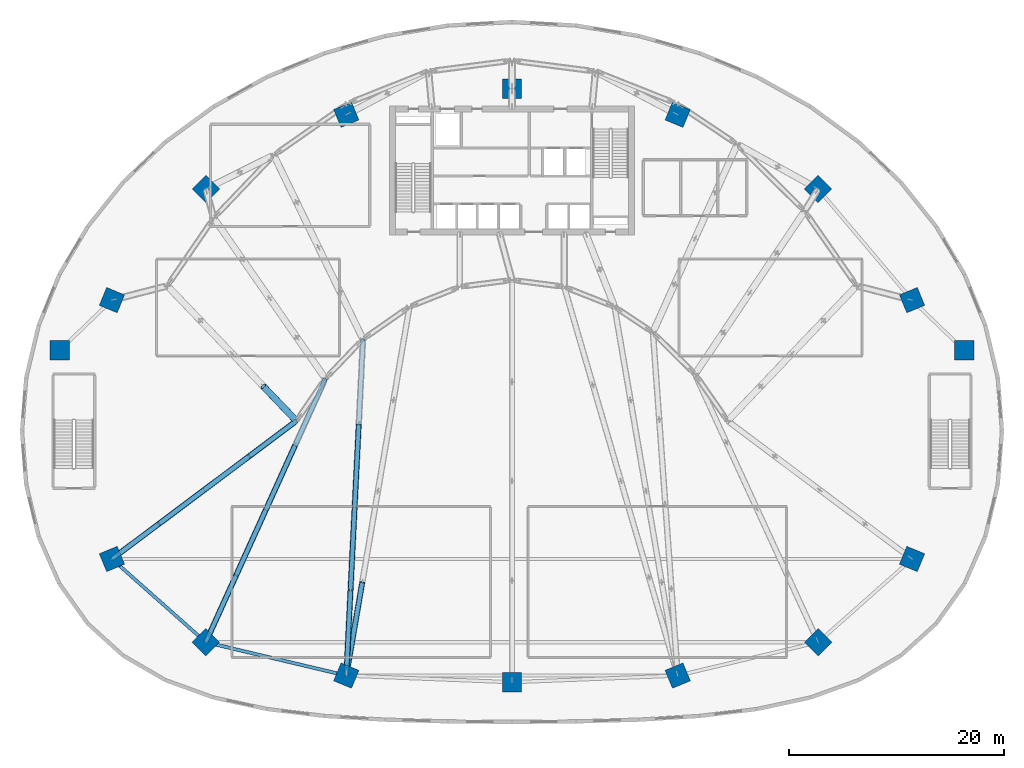
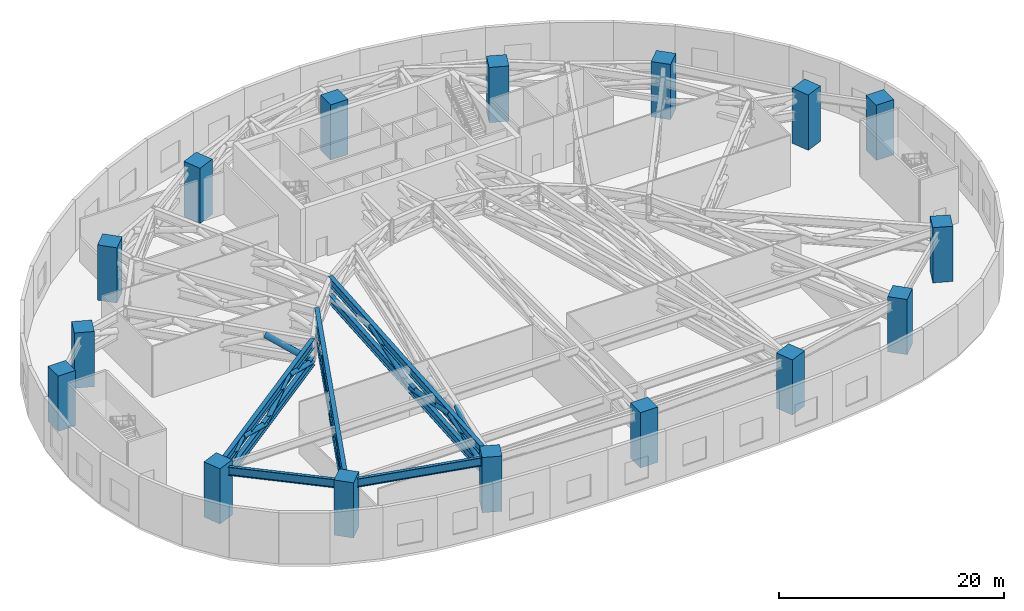
# One storey, part 1 of 19: 16 columns, 12 members, 8 beams.
"""IFC4 building model written with IfcOpenShell, lengths in metres."""

from ifc_helpers import new_model, si_unit, direction, frame, origin, origin_2d, place, context, subcontext, project, spatial, rectangle, hollow_circle, i_section, extrude, source, transform, mapped, material, material_profile, profile_set, type_object, type_shapes, element, save


model = new_model("IFC4")

# Units and contexts
model_context = context("Model", 3, precision=1e-05, world=origin(), true_north=direction((0.0, 1.0)))
body_context = subcontext(model_context, "Body", "Model", "MODEL_VIEW")
ifc_project = project(units=[si_unit("LENGTHUNIT", "METRE"), si_unit("AREAUNIT", "SQUARE_METRE"), si_unit("VOLUMEUNIT", "CUBIC_METRE"), si_unit("PLANEANGLEUNIT", "RADIAN"), si_unit("MASSUNIT", "GRAM", prefix="KILO")], contexts=[model_context])

# Site, building, storey
site_placement = place(None, origin())
site = spatial("IfcSite", under=ifc_project, at=site_placement, CompositionType="ELEMENT")
building_placement = place(site_placement, origin())
building = spatial("IfcBuilding", under=site, at=building_placement, Name="Breltana Convention Tower", CompositionType="ELEMENT")
storey_placement = place(building_placement, frame((0.0, 0.0, 24.0)))
storey = spatial("IfcBuildingStorey", under=building, at=storey_placement, Name="L04", CompositionType="ELEMENT", Elevation=24.0)

# Columns
ifc_material_1 = material(Name="Concrete C60/75", Category="concrete")
ifc_material_profile_1 = material_profile(ifc_material_1, rectangle(XDim=1.800048828125, YDim=1.800048828125, at=origin_2d()), Name="RC-COL-1800X1800")
ifc_profile_set_1 = profile_set([ifc_material_profile_1], Name="Concrete C60/75")
column_type = type_object("IfcColumnType", Name="COL-MC-1800", PredefinedType="COLUMN", material=ifc_profile_set_1)
shared_shape_1 = source(origin(), body_context, "Body", "SweptSolid", [
    extrude(rectangle(XDim=1.800048828125, YDim=1.800048828125, at=origin_2d()), origin(), (0.0, 0.0, 1.0), 6.0),
])
type_shapes(column_type, [shared_shape_1])
for number, where, z_axis, x_axis, name in (
    (1, (90.0, 49.5, 0.0), (0.0, 0.0, 1.0), (1.0, 0.0, 0.0), "L04 Podium Mega-Column MC-01"),
    (2, (85.139892578125, 54.169189453125, 0.0), (0.0, 0.0, 1.0), (0.923879532511, 0.382683432365, 0.0), "L04 Podium Mega-Column MC-02"),
    (3, (76.42578125, 64.486083984375, 0.0), (0.0, 0.0, 1.0), (0.707106781187, 0.707106781187, 0.0), "L04 Podium Mega-Column MC-03"),
    (4, (63.3837890625, 71.37939453125, 0.0), (0.0, 0.0, 1.0), (0.382683432365, 0.923879532511, 0.0), "L04 Podium Mega-Column MC-04"),
    (5, (48.0, 73.800048828125, 0.0), (0.0, 0.0, 1.0), (0.0, 1.0, 0.0), "L04 Podium Mega-Column MC-05"),
    (6, (32.6162109375, 71.37939453125, 0.0), (0.0, 0.0, 1.0), (-0.382683432365, 0.923879532511, 0.0), "L04 Podium Mega-Column MC-06"),
    (7, (19.57421875, 64.486083984375, 0.0), (0.0, 0.0, 1.0), (-0.707106781187, 0.707106781187, 0.0), "L04 Podium Mega-Column MC-07"),
    (8, (10.860107421875, 54.169189453125, 0.0), (0.0, 0.0, 1.0), (-0.923879532511, 0.382683432365, 0.0), "L04 Podium Mega-Column MC-08"),
    (9, (6.0, 49.5, 0.0), (0.0, 0.0, 1.0), (-1.0, 0.0, 0.0), "L04 Podium Mega-Column MC-09"),
    (10, (10.860107421875, 30.136962890625, 0.0), (0.0, 0.0, 1.0), (-0.923879532511, -0.382683432365, 0.0), "L04 Podium Mega-Column MC-10"),
    (11, (19.57421875, 22.412109375, 0.0), (0.0, 0.0, 1.0), (-0.707106781187, -0.707106781187, 0.0), "L04 Podium Mega-Column MC-11"),
    (12, (32.6162109375, 19.3125, 0.0), (0.0, 0.0, 1.0), (-0.382683432365, -0.923879532511, 0.0), "L04 Podium Mega-Column MC-12"),
    (13, (48.0, 18.699951171875, 0.0), (0.0, 0.0, 1.0), (0.0, -1.0, 0.0), "L04 Podium Mega-Column MC-13"),
    (14, (63.3837890625, 19.3125, 0.0), (0.0, 0.0, 1.0), (0.382683432365, -0.923879532511, 0.0), "L04 Podium Mega-Column MC-14"),
    (15, (76.42578125, 22.412109375, 0.0), (0.0, 0.0, 1.0), (0.707106781187, -0.707106781187, 0.0), "L04 Podium Mega-Column MC-15"),
    (16, (85.139892578125, 30.136962890625, 0.0), (0.0, 0.0, 1.0), (0.923879532511, -0.382683432365, 0.0), "L04 Podium Mega-Column MC-16"),
):
    element("IfcColumn", number, at=place(storey_placement, frame(where, z_axis=z_axis, x_axis=x_axis)), inside=storey, type_object=column_type, Name=name, PredefinedType="COLUMN", context=body_context, shape_type="MappedRepresentation", body=[
        mapped(shared_shape_1, transform((0.0, 0.0, 0.0), scale=1.0)),
    ])

# Beams
ifc_material_2 = material(Name="Steel ASTM A992 Grade 50", Category="steel")
ifc_material_profile_2 = material_profile(ifc_material_2, i_section(OverallWidth=0.423095703125, OverallDepth=0.947998046875, WebThickness=0.02392578125, FlangeThickness=0.042724609375, at=origin_2d()), Name="W36X302")
ifc_profile_set_2 = profile_set([ifc_material_profile_2], Name="Steel ASTM A992 Grade 50")
beam_type_1 = type_object("IfcBeamType", Name="BM-TR-W36X302", PredefinedType="USERDEFINED", material=ifc_profile_set_2)
shared_shape_2 = source(origin(), body_context, "Body", "SweptSolid", [
    extrude(i_section(OverallWidth=0.423095703125, OverallDepth=0.947998046875, WebThickness=0.02392578125, FlangeThickness=0.042724609375, at=origin_2d()), origin(), (0.0, 0.0, 1.0), 21.39013671875),
])
type_shapes(beam_type_1, [shared_shape_2])
beam_1_placement = place(storey_placement, frame((10.860107421875, 30.136962890625, 5.075927734375), z_axis=(0.800577617042, 0.599229070633, 0.0), x_axis=(-0.599229070633, 0.800577617042, 0.0)))
element("IfcBeam", 17, at=beam_1_placement, inside=storey, type_object=beam_type_1, Name="L04 Transfer Top Chord R01-1", ObjectType="GIRDER", PredefinedType="USERDEFINED", context=body_context, shape_type="MappedRepresentation", body=[
    mapped(shared_shape_2, transform((0.0, 0.0, 0.0), scale=1.0)),
])
ifc_material_profile_3 = material_profile(ifc_material_2, i_section(OverallWidth=0.41796875, OverallDepth=0.927001953125, WebThickness=0.019287109375, FlangeThickness=0.031982421875, at=origin_2d()), Name="W36X231")
ifc_profile_set_3 = profile_set([ifc_material_profile_3], Name="Steel ASTM A992 Grade 50")
beam_type_2 = type_object("IfcBeamType", Name="BM-TR-W36X231", PredefinedType="USERDEFINED", material=ifc_profile_set_3)
shared_shape_3 = source(origin(), body_context, "Body", "SweptSolid", [
    extrude(i_section(OverallWidth=0.41796875, OverallDepth=0.927001953125, WebThickness=0.019287109375, FlangeThickness=0.031982421875, at=origin_2d()), origin(), (0.0, 0.0, 1.0), 21.39013671875),
])
type_shapes(beam_type_2, [shared_shape_3])
beam_2_placement = place(storey_placement, frame((10.860107421875, 30.136962890625, 3.1435546875), z_axis=(0.800577617042, 0.599229070633, 0.0), x_axis=(-0.599229070633, 0.800577617042, 0.0)))
element("IfcBeam", 18, at=beam_2_placement, inside=storey, type_object=beam_type_2, Name="L04 Transfer Bottom Chord R01-1", ObjectType="GIRDER", PredefinedType="USERDEFINED", context=body_context, shape_type="MappedRepresentation", body=[
    mapped(shared_shape_3, transform((0.0, 0.0, 0.0), scale=1.0)),
])

# Members
ifc_material_3 = material(Name="Steel EN 10210 S355J2H", Category="steel")
ifc_material_profile_4 = material_profile(ifc_material_3, hollow_circle(Radius=0.25390625, WallThickness=0.02001953125, at=origin_2d()), Name="CHS508X20")
ifc_profile_set_4 = profile_set([ifc_material_profile_4], Name="Steel EN 10210 S355J2H")
member_type_1 = type_object("IfcMemberType", Name="MB-BR-CHS508X20", PredefinedType="BRACE", material=ifc_profile_set_4)
shared_shape_4 = source(origin(), body_context, "Body", "SweptSolid", [
    extrude(hollow_circle(Radius=0.25390625, WallThickness=0.02001953125, at=origin_2d()), origin(), (0.0, 0.0, 1.0), 5.582763671875),
])
type_shapes(member_type_1, [shared_shape_4])
for number, where, z_axis, x_axis, name in (
    (19, (11.0361328125, 30.268798828125, 3.1435546875), (0.751097294585, 0.562175005641, 0.346138869673), (-0.599216605653, 0.800586946877, 0.0), "L04 Transfer Truss Diagonal R01-1.1"),
    (20, (15.229248046875, 33.4072265625, 5.075927734375), (0.751078828788, 0.562204915453, -0.346130359817), (-0.599246480836, 0.80056458528, 0.0), "L04 Transfer Truss Diagonal R01-1.2"),
    (21, (23.615234375, 39.684326171875, 5.075927734375), (0.751078828788, 0.562204915453, -0.346130359817), (-0.599246480836, 0.80056458528, 0.0), "L04 Transfer Truss Diagonal R01-1.4"),
):
    element("IfcMember", number, at=place(storey_placement, frame(where, z_axis=z_axis, x_axis=x_axis)), inside=storey, type_object=member_type_1, Name=name, PredefinedType="BRACE", context=body_context, shape_type="MappedRepresentation", body=[
        mapped(shared_shape_4, transform((0.0, 0.0, 0.0), scale=1.0)),
    ])
shared_shape_5 = source(origin(), body_context, "Body", "SweptSolid", [
    extrude(hollow_circle(Radius=0.25390625, WallThickness=0.02001953125, at=origin_2d()), origin(), (0.0, 0.0, 1.0), 5.58251953125),
])
member_1_placement = place(storey_placement, frame((19.42236328125, 36.5458984375, 3.1435546875), z_axis=(0.751078232924, 0.562193471774, 0.346150239525), x_axis=(-0.599238967918, 0.800570208869, 0.0)))
element("IfcMember", 22, at=member_1_placement, inside=storey, type_object=member_type_1, Name="L04 Transfer Truss Diagonal R01-1.3", PredefinedType="BRACE", context=body_context, shape_type="MappedRepresentation", body=[
    mapped(shared_shape_5, transform((0.0, 0.0, 0.0), scale=1.0)),
])
ifc_material_profile_5 = material_profile(ifc_material_3, hollow_circle(Radius=0.304931640625, WallThickness=0.02490234375, at=origin_2d()), Name="CHS610X25")
ifc_profile_set_5 = profile_set([ifc_material_profile_5], Name="Steel EN 10210 S355J2H")
member_type_2 = type_object("IfcMemberType", Name="MB-BR-CHS610X25", PredefinedType="BRACE", material=ifc_profile_set_5)
shared_shape_6 = source(origin(), body_context, "Body", "SweptSolid", [
    extrude(hollow_circle(Radius=0.304931640625, WallThickness=0.02490234375, at=origin_2d()), origin(), (0.0, 0.0, 1.0), 4.646240234375),
])
type_shapes(member_type_2, [shared_shape_6])
member_2_placement = place(storey_placement, frame((27.83251953125, 43.11376953125, 3.1435546875), z_axis=(-0.628140326004, 0.657618887397, 0.415905193268), x_axis=(-0.723128566496, -0.690713454566, 0.0)))
element("IfcMember", 23, at=member_2_placement, inside=storey, type_object=member_type_2, Name="L04 Transfer Truss Diagonal R01-2.1", PredefinedType="BRACE", context=body_context, shape_type="MappedRepresentation", body=[
    mapped(shared_shape_6, transform((0.0, 0.0, 0.0), scale=1.0)),
])

# Beams
shared_shape_7 = source(origin(), body_context, "Body", "SweptSolid", [
    extrude(i_section(OverallWidth=0.423095703125, OverallDepth=0.947998046875, WebThickness=0.02392578125, FlangeThickness=0.042724609375, at=origin_2d()), origin(), (0.0, 0.0, 1.0), 26.88037109375),
])
beam_3_placement = place(storey_placement, frame((19.57421875, 22.412109375, 5.075927734375), z_axis=(0.413052132052, 0.910707382317, 0.0), x_axis=(-0.910707382317, 0.413052132052, 0.0)))
element("IfcBeam", 24, at=beam_3_placement, inside=storey, type_object=beam_type_1, Name="L04 Transfer Top Chord R02-1", ObjectType="GIRDER", PredefinedType="USERDEFINED", context=body_context, shape_type="MappedRepresentation", body=[
    mapped(shared_shape_7, transform((0.0, 0.0, 0.0), scale=1.0)),
])
shared_shape_8 = source(origin(), body_context, "Body", "SweptSolid", [
    extrude(i_section(OverallWidth=0.41796875, OverallDepth=0.927001953125, WebThickness=0.019287109375, FlangeThickness=0.031982421875, at=origin_2d()), origin(), (0.0, 0.0, 1.0), 26.88037109375),
])
beam_4_placement = place(storey_placement, frame((19.57421875, 22.412109375, 3.1435546875), z_axis=(0.413052132052, 0.910707382317, 0.0), x_axis=(-0.910707382317, 0.413052132052, 0.0)))
element("IfcBeam", 25, at=beam_4_placement, inside=storey, type_object=beam_type_2, Name="L04 Transfer Bottom Chord R02-1", ObjectType="GIRDER", PredefinedType="USERDEFINED", context=body_context, shape_type="MappedRepresentation", body=[
    mapped(shared_shape_8, transform((0.0, 0.0, 0.0), scale=1.0)),
])

# Members
shared_shape_9 = source(origin(), body_context, "Body", "SweptSolid", [
    extrude(hollow_circle(Radius=0.25390625, WallThickness=0.02001953125, at=origin_2d()), origin(), (0.0, 0.0, 1.0), 6.88671875),
])
for number, where, z_axis, x_axis, name in (
    (26, (19.665283203125, 22.612548828125, 3.1435546875), (0.396452026694, 0.874123010122, 0.280597137734), (-0.910710216332, 0.413045883491, 0.0), "L04 Transfer Truss Diagonal R02-1.1"),
    (27, (25.125732421875, 34.65234375, 3.1435546875), (0.396452026694, 0.874123010122, 0.280597137734), (-0.910710216332, 0.413045883491, 0.0), "L04 Transfer Truss Diagonal R02-1.3"),
):
    element("IfcMember", number, at=place(storey_placement, frame(where, z_axis=z_axis, x_axis=x_axis)), inside=storey, type_object=member_type_1, Name=name, PredefinedType="BRACE", context=body_context, shape_type="MappedRepresentation", body=[
        mapped(shared_shape_9, transform((0.0, 0.0, 0.0), scale=1.0)),
    ])
shared_shape_10 = source(origin(), body_context, "Body", "SweptSolid", [
    extrude(hollow_circle(Radius=0.25390625, WallThickness=0.02001953125, at=origin_2d()), origin(), (0.0, 0.0, 1.0), 6.886962890625),
])
member_3_placement = place(storey_placement, frame((22.3955078125, 28.63232421875, 5.075927734375), z_axis=(0.39643974144, 0.874131373016, -0.280588442592), x_axis=(-0.910716517407, 0.413031990192, 0.0)))
element("IfcMember", 28, at=member_3_placement, inside=storey, type_object=member_type_1, Name="L04 Transfer Truss Diagonal R02-1.2", PredefinedType="BRACE", context=body_context, shape_type="MappedRepresentation", body=[
    mapped(shared_shape_10, transform((0.0, 0.0, 0.0), scale=1.0)),
])

# Beams
shared_shape_11 = source(origin(), body_context, "Body", "SweptSolid", [
    extrude(i_section(OverallWidth=0.423095703125, OverallDepth=0.947998046875, WebThickness=0.02392578125, FlangeThickness=0.042724609375, at=origin_2d()), origin(), (0.0, 0.0, 1.0), 31.270751953125),
])
beam_5_placement = place(storey_placement, frame((32.6162109375, 19.3125, 5.075927734375), z_axis=(0.049568470943, 0.998770727789, 0.0), x_axis=(-0.998770727789, 0.049568470943, 0.0)))
element("IfcBeam", 29, at=beam_5_placement, inside=storey, type_object=beam_type_1, Name="L04 Transfer Top Chord R03-1", ObjectType="GIRDER", PredefinedType="USERDEFINED", context=body_context, shape_type="MappedRepresentation", body=[
    mapped(shared_shape_11, transform((0.0, 0.0, 0.0), scale=1.0)),
])
shared_shape_12 = source(origin(), body_context, "Body", "SweptSolid", [
    extrude(i_section(OverallWidth=0.41796875, OverallDepth=0.927001953125, WebThickness=0.019287109375, FlangeThickness=0.031982421875, at=origin_2d()), origin(), (0.0, 0.0, 1.0), 31.270751953125),
])
beam_6_placement = place(storey_placement, frame((32.6162109375, 19.3125, 3.1435546875), z_axis=(0.049568470943, 0.998770727789, 0.0), x_axis=(-0.998770727789, 0.049568470943, 0.0)))
element("IfcBeam", 30, at=beam_6_placement, inside=storey, type_object=beam_type_2, Name="L04 Transfer Bottom Chord R03-1", ObjectType="GIRDER", PredefinedType="USERDEFINED", context=body_context, shape_type="MappedRepresentation", body=[
    mapped(shared_shape_12, transform((0.0, 0.0, 0.0), scale=1.0)),
])

# Members
shared_shape_13 = source(origin(), body_context, "Body", "SweptSolid", [
    extrude(hollow_circle(Radius=0.25390625, WallThickness=0.02001953125, at=origin_2d()), origin(), (0.0, 0.0, 1.0), 7.946533203125),
])
member_4_placement = place(storey_placement, frame((32.626953125, 19.5322265625, 3.1435546875), z_axis=(0.048081600747, 0.968790489694, 0.243173079819), x_axis=(-0.998770675044, 0.049569533709, 0.0)))
element("IfcMember", 31, at=member_4_placement, inside=storey, type_object=member_type_1, Name="L04 Transfer Truss Diagonal R03-1.1", PredefinedType="BRACE", context=body_context, shape_type="MappedRepresentation", body=[
    mapped(shared_shape_13, transform((0.0, 0.0, 0.0), scale=1.0)),
])
shared_shape_14 = source(origin(), body_context, "Body", "SweptSolid", [
    extrude(hollow_circle(Radius=0.25390625, WallThickness=0.02001953125, at=origin_2d()), origin(), (0.0, 0.0, 1.0), 7.946044921875),
])
member_5_placement = place(storey_placement, frame((33.009033203125, 27.230712890625, 5.075927734375), z_axis=(0.048084463135, 0.9687867138, -0.243187556364), x_axis=(-0.998770519375, 0.04957267016, 0.0)))
element("IfcMember", 32, at=member_5_placement, inside=storey, type_object=member_type_1, Name="L04 Transfer Truss Diagonal R03-1.2", PredefinedType="BRACE", context=body_context, shape_type="MappedRepresentation", body=[
    mapped(shared_shape_14, transform((0.0, 0.0, 0.0), scale=1.0)),
])
shared_shape_15 = source(origin(), body_context, "Body", "SweptSolid", [
    extrude(hollow_circle(Radius=0.25390625, WallThickness=0.02001953125, at=origin_2d()), origin(), (0.0, 0.0, 1.0), 7.9462890625),
])
member_6_placement = place(storey_placement, frame((33.39111328125, 34.9287109375, 3.1435546875), z_axis=(0.0480830319, 0.968788601831, 0.243180317883), x_axis=(-0.998770597213, 0.049571101885, 0.0)))
element("IfcMember", 33, at=member_6_placement, inside=storey, type_object=member_type_1, Name="L04 Transfer Truss Diagonal R03-1.3", PredefinedType="BRACE", context=body_context, shape_type="MappedRepresentation", body=[
    mapped(shared_shape_15, transform((0.0, 0.0, 0.0), scale=1.0)),
])
shared_shape_16 = source(origin(), body_context, "Body", "SweptSolid", [
    extrude(hollow_circle(Radius=0.25390625, WallThickness=0.02001953125, at=origin_2d()), origin(), (0.0, 0.0, 1.0), 8.791259765625),
])
member_7_placement = place(storey_placement, frame((32.6533203125, 19.529296875, 3.1435546875), z_axis=(0.16476302968, 0.961529603847, 0.219804378883), x_axis=(-0.985634307236, 0.168893494248, 0.0)))
element("IfcMember", 34, at=member_7_placement, inside=storey, type_object=member_type_1, Name="L04 Transfer Truss Diagonal R04-1.1", PredefinedType="BRACE", context=body_context, shape_type="MappedRepresentation", body=[
    mapped(shared_shape_16, transform((0.0, 0.0, 0.0), scale=1.0)),
])

# Beams
ifc_material_profile_6 = material_profile(ifc_material_2, i_section(OverallWidth=0.304931640625, OverallDepth=0.9189453125, WebThickness=0.017333984375, FlangeThickness=0.02783203125, at=origin_2d()), Name="W36X170")
ifc_profile_set_6 = profile_set([ifc_material_profile_6], Name="Steel ASTM A992 Grade 50")
beam_type_3 = type_object("IfcBeamType", Name="BM-PD-W36X170", PredefinedType="USERDEFINED", material=ifc_profile_set_6)
shared_shape_17 = source(origin(), body_context, "Body", "SweptSolid", [
    extrude(i_section(OverallWidth=0.304931640625, OverallDepth=0.9189453125, WebThickness=0.017333984375, FlangeThickness=0.02783203125, at=origin_2d()), origin(), (0.0, 0.0, 1.0), 11.64501953125),
])
beam_7_placement = place(storey_placement, frame((10.860107421875, 30.136962890625, 5.090576171875), z_axis=(0.748305074373, -0.663354743458, 0.0), x_axis=(0.663354743458, 0.748305074373, 0.0)))
element("IfcBeam", 35, at=beam_7_placement, inside=storey, type_object=beam_type_3, Name="L04 Garden Deck Perimeter Girder 10", ObjectType="GIRDER", PredefinedType="USERDEFINED", context=body_context, shape_type="MappedRepresentation", body=[
    mapped(shared_shape_17, transform((0.0, 0.0, 0.0), scale=1.0)),
])
shared_shape_18 = source(origin(), body_context, "Body", "SweptSolid", [
    extrude(i_section(OverallWidth=0.304931640625, OverallDepth=0.9189453125, WebThickness=0.017333984375, FlangeThickness=0.02783203125, at=origin_2d()), origin(), (0.0, 0.0, 1.0), 13.4052734375),
])
beam_8_placement = place(storey_placement, frame((19.57421875, 22.412109375, 5.090576171875), z_axis=(0.972900712446, -0.231223276773, 0.0), x_axis=(0.231223276773, 0.972900712446, 0.0)))
element("IfcBeam", 36, at=beam_8_placement, inside=storey, type_object=beam_type_3, Name="L04 Garden Deck Perimeter Girder 11", ObjectType="GIRDER", PredefinedType="USERDEFINED", context=body_context, shape_type="MappedRepresentation", body=[
    mapped(shared_shape_18, transform((0.0, 0.0, 0.0), scale=1.0)),
])

save(model, "model.ifc")
